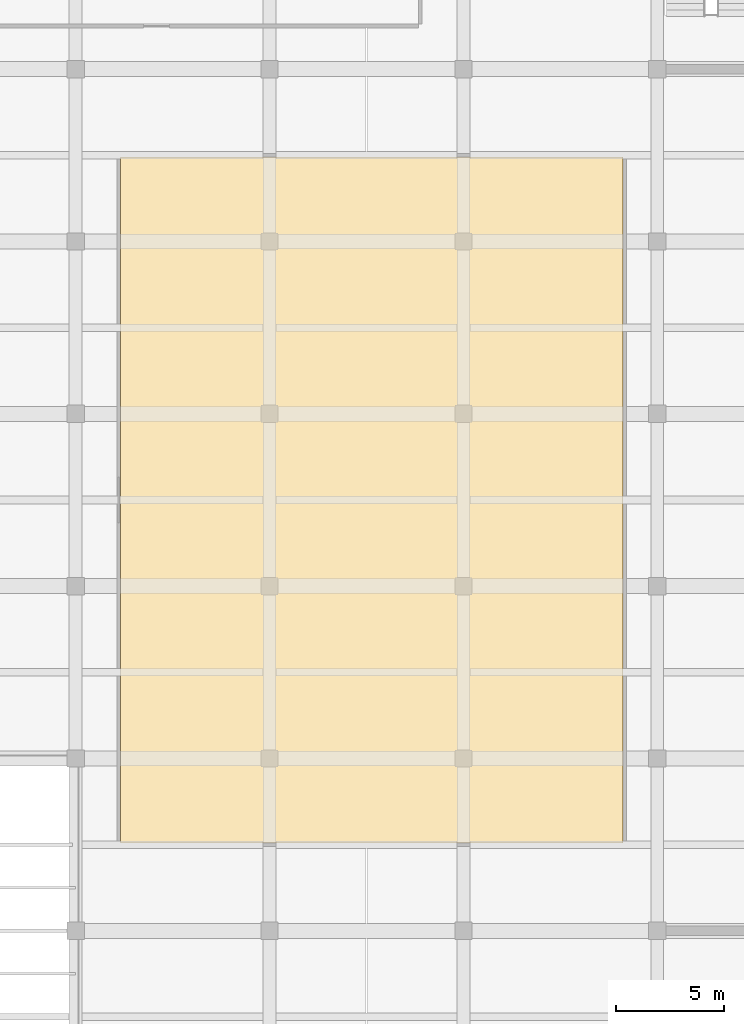
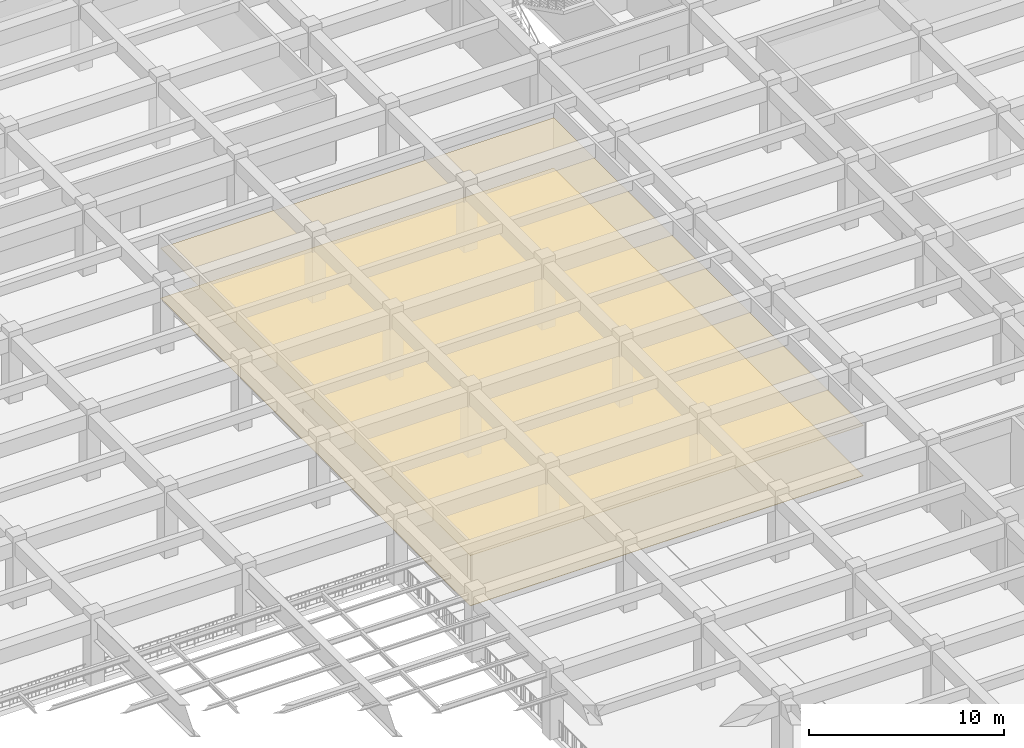
# One storey, part 45 of 50: 2 coverings.
"""IFC4 building model written with IfcOpenShell, lengths in metres."""

from ifc_helpers import new_model, si_unit, direction, frame, origin, place, context, subcontext, project, spatial, polyline, outline, extrude, material, layer, layer_set, type_object, element, save


model = new_model("IFC4")

# Units and contexts
model_context = context("Model", 3, precision=1e-05, world=origin(), true_north=direction((0.0, 1.0)))
body_context = subcontext(model_context, "Body", "Model", "MODEL_VIEW")
ifc_project = project(units=[si_unit("LENGTHUNIT", "METRE"), si_unit("AREAUNIT", "SQUARE_METRE"), si_unit("VOLUMEUNIT", "CUBIC_METRE"), si_unit("PLANEANGLEUNIT", "RADIAN"), si_unit("MASSUNIT", "GRAM", prefix="KILO")], contexts=[model_context])

# Site, building, storey
site_placement = place(None, origin())
site = spatial("IfcSite", under=ifc_project, at=site_placement, CompositionType="ELEMENT")
building_placement = place(site_placement, origin())
building = spatial("IfcBuilding", under=site, at=building_placement, Name="Zaverband Oceanarium and Marine Research Institute", CompositionType="ELEMENT")
storey_placement = place(building_placement, frame((0.0, 0.0, 9.0)))
storey = spatial("IfcBuildingStorey", under=building, at=storey_placement, Name="L02", CompositionType="ELEMENT", Elevation=9.0)

# Coverings
ifc_material_1 = material(Name="Perforated mineral-fibre acoustic ceiling tile")
ifc_layer_1 = layer(ifc_material_1, 0.02490234375, Name="Perforated mineral-fibre acoustic ceiling tile")
ifc_layer_set_1 = layer_set([ifc_layer_1], Name="Perforated mineral-fibre acoustic ceiling tile")
covering_type_1 = type_object("IfcCoveringType", Name="CLG-AC-15", PredefinedType="CEILING", material=ifc_layer_set_1)
covering_1_placement = place(storey_placement, frame((0.0, 0.0, 3.14990234375)))
element("IfcCovering", 1, at=covering_1_placement, inside=storey, type_object=covering_type_1, Name="Suspended acoustic ceiling CLG-AC-15", PredefinedType="CEILING", context=body_context, shape_type="SweptSolid", body=[
    extrude(outline(polyline([(110.08251953125, 44.08251953125), (133.41748046875, 44.08251953125), (133.41748046875, 75.91748046875), (110.08251953125, 75.91748046875), (110.08251953125, 44.08251953125)])), origin(), (0.0, 0.0, 1.0), 0.025146484375),
])
ifc_material_2 = material(Name="Polished marine terrazzo and seamless laboratory epoxy flooring")
ifc_layer_2 = layer(ifc_material_2, 0.02490234375, Name="Polished marine terrazzo and seamless laboratory epoxy flooring")
ifc_layer_set_2 = layer_set([ifc_layer_2], Name="Polished marine terrazzo and seamless laboratory epoxy flooring")
covering_type_2 = type_object("IfcCoveringType", Name="FLR-TRZ-20", PredefinedType="FLOORING", material=ifc_layer_set_2)
covering_2_placement = place(storey_placement, origin())
element("IfcCovering", 2, at=covering_2_placement, inside=storey, type_object=covering_type_2, Name="Terrazzo and marine epoxy floor finish FLR-TRZ-20", PredefinedType="FLOORING", context=body_context, shape_type="SweptSolid", body=[
    extrude(outline(polyline([(110.08251953125, 44.08251953125), (133.41748046875, 44.08251953125), (133.41748046875, 75.91748046875), (110.08251953125, 75.91748046875), (110.08251953125, 44.08251953125)])), origin(), (0.0, 0.0, 1.0), 0.02490234375),
])

save(model, "model.ifc")
